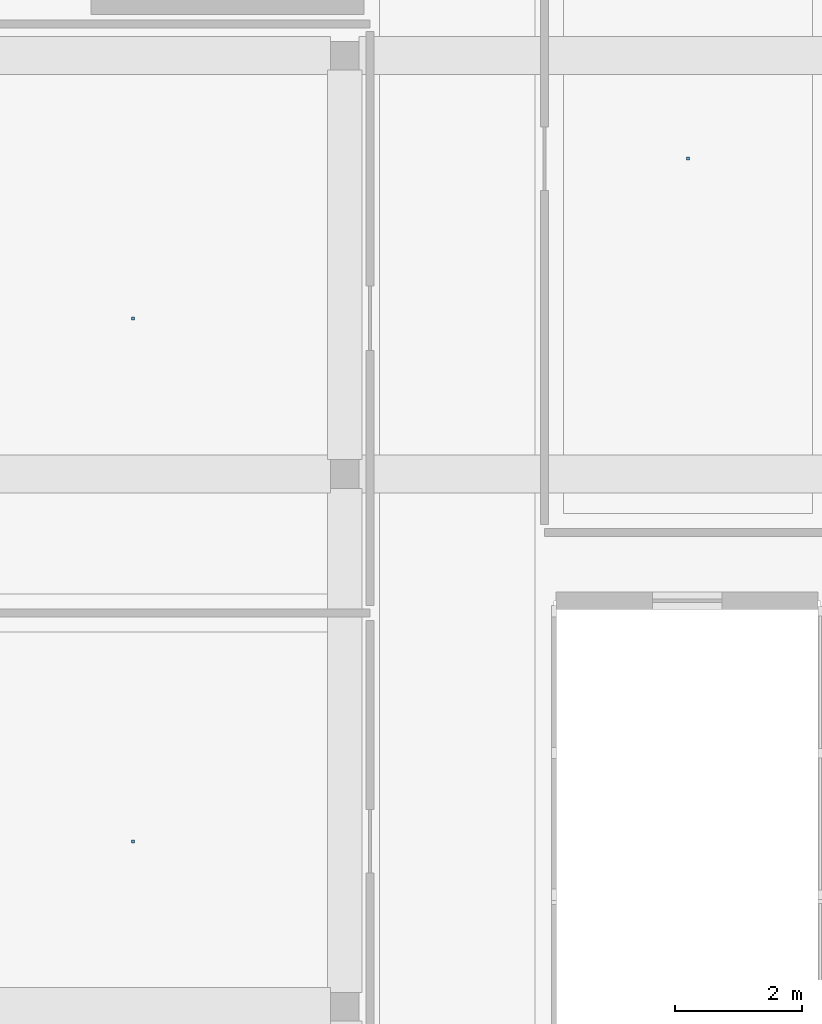
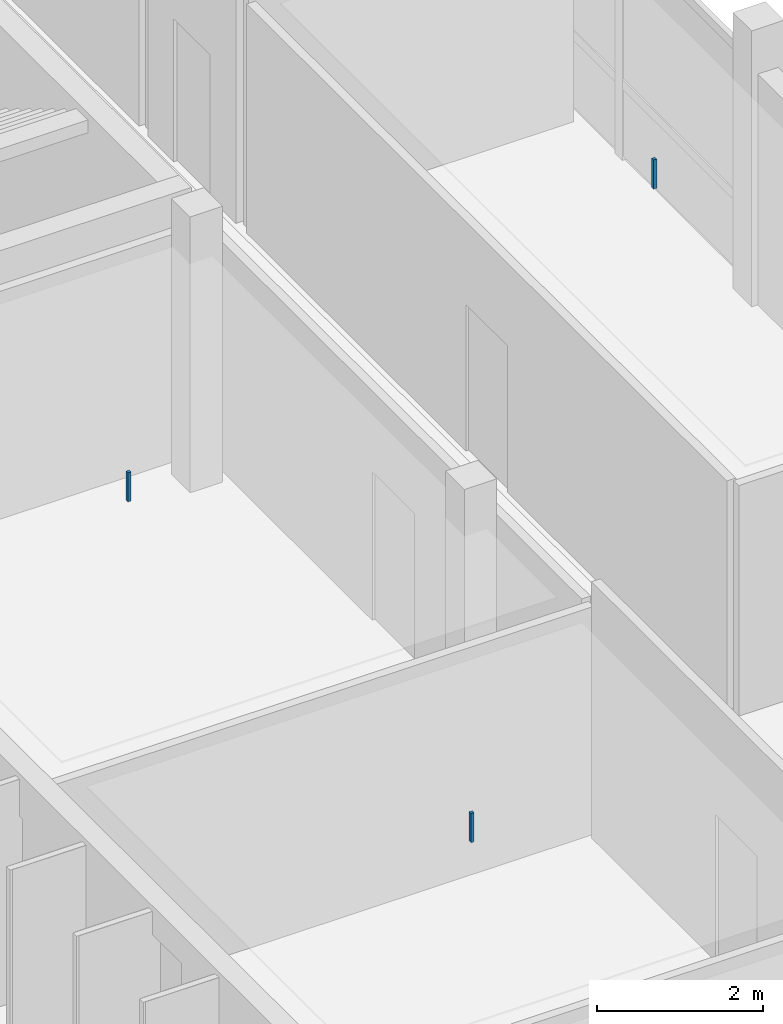
# One storey, part 33 of 48: 3 discrete accessories.
"""IFC4 building model written with IfcOpenShell, lengths in metres."""

from ifc_helpers import new_model, si_unit, derived_unit, direction, frame, origin, origin_2d, place, context, subcontext, project, spatial, rectangle, extrude, material, type_object, element, save


model = new_model("IFC4")

# Units and contexts
model_context = context("Model", 3, precision=1e-05, world=origin(), true_north=direction((0.0, 1.0)))
body_context = subcontext(model_context, "Body", "Model", "MODEL_VIEW")
ifc_project = project(units=[si_unit("LENGTHUNIT", "METRE"), si_unit("AREAUNIT", "SQUARE_METRE"), si_unit("VOLUMEUNIT", "CUBIC_METRE"), si_unit("PLANEANGLEUNIT", "RADIAN"), si_unit("MASSUNIT", "GRAM", prefix="KILO"), derived_unit("THERMALTRANSMITTANCEUNIT", [(si_unit("POWERUNIT", "WATT"), 1), (si_unit("LENGTHUNIT", "METRE"), -2), (si_unit("THERMODYNAMICTEMPERATUREUNIT", "KELVIN"), -1)])], contexts=[model_context])

# Site, building, storey
site_placement = place(None, origin())
site = spatial("IfcSite", under=ifc_project, at=site_placement, CompositionType="ELEMENT")
building_placement = place(site_placement, origin())
building = spatial("IfcBuilding", under=site, at=building_placement, Name="Braskholm Square Health Centre", CompositionType="ELEMENT")
storey_placement = place(building_placement, frame((0.0, 0.0, 17.550048828125)))
storey = spatial("IfcBuildingStorey", under=building, at=storey_placement, Name="L05", CompositionType="ELEMENT", Elevation=17.550048828125)

# Discrete accessories
ifc_material = material(Name="Steel ASTM A500 Grade C", Category="steel")
discrete_accessory_type = type_object("IfcDiscreteAccessoryType", Name="CeilingSuspensionBracket", PredefinedType="BRACKET", material=ifc_material)
for number, where, z_axis, x_axis, name in (
    (1, (8.06005859375, 74.804931640625, 3.35205078125), (0.0, 0.0, 1.0), (1.0, 0.0, 0.0), "Ceiling hanger bracket 0085"),
    (2, (8.06005859375, 83.054931640625, 3.35205078125), (0.0, 0.0, 1.0), (1.0, 0.0, 0.0), "Ceiling hanger bracket 0086"),
    (3, (16.81494140625, 85.574951171875, 3.35205078125), (0.0, 0.0, 1.0), (1.0, 0.0, 0.0), "Ceiling hanger bracket 0092"),
):
    element("IfcDiscreteAccessory", number, at=place(storey_placement, frame(where, z_axis=z_axis, x_axis=x_axis)), inside=storey, type_object=discrete_accessory_type, Name=name, PredefinedType="BRACKET", context=body_context, shape_type="SweptSolid", body=[
        extrude(rectangle(XDim=0.044921875, YDim=0.044921875, at=origin_2d()), origin(), (0.0, 0.0, 1.0), 0.429931640625),
    ])

save(model, "model.ifc")
